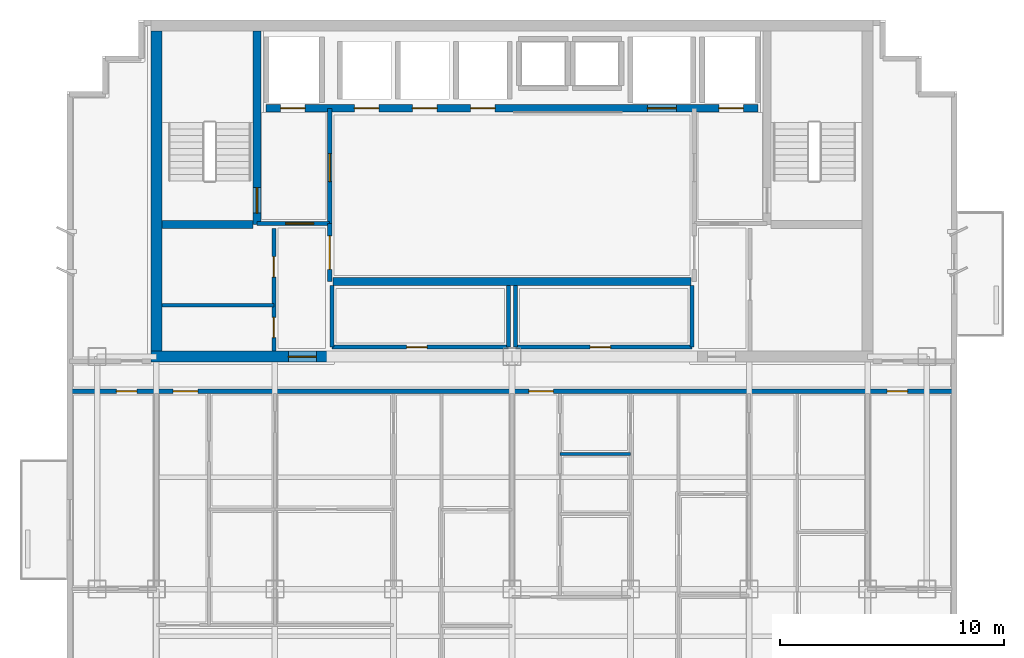
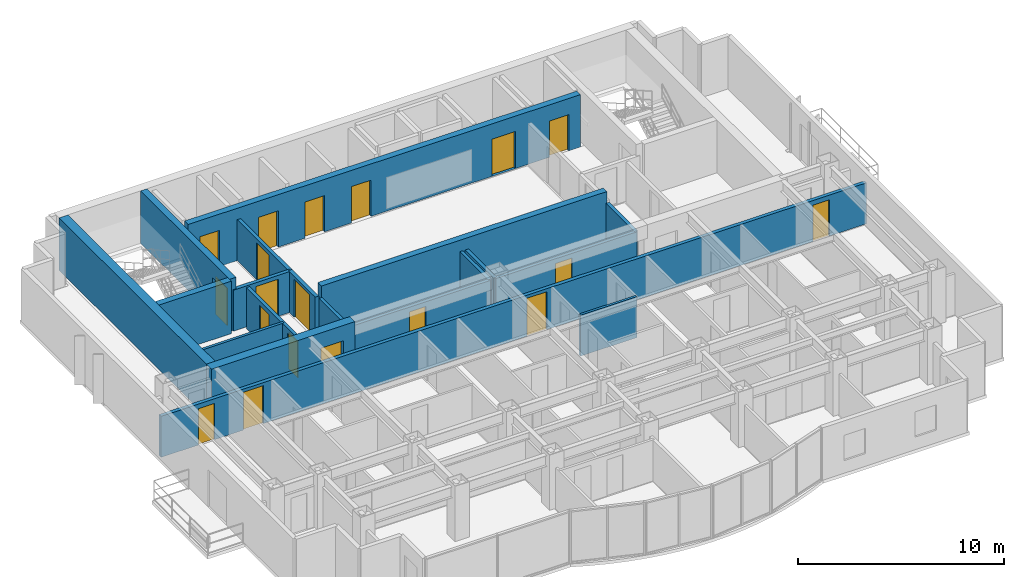
# One storey, part 5 of 9: 19 doors, 19 walls, 19 openings.
"""IFC4 building model written with IfcOpenShell, lengths in metres."""

from ifc_helpers import new_model, si_unit, direction, frame, frame_2d, origin, place, context, subcontext, project, spatial, rectangle, extrude, material, layer, layer_set, type_object, element, fill, save


model = new_model("IFC4")

# Units and contexts
model_context = context("Model", 3, precision=1e-05, world=origin(), true_north=direction((0.0, 1.0)))
body_context = subcontext(model_context, "Body", "Model", "MODEL_VIEW")
ifc_project = project(units=[si_unit("LENGTHUNIT", "METRE"), si_unit("AREAUNIT", "SQUARE_METRE"), si_unit("VOLUMEUNIT", "CUBIC_METRE"), si_unit("PLANEANGLEUNIT", "RADIAN"), si_unit("MASSUNIT", "GRAM", prefix="KILO")], contexts=[model_context])

# Site, building, storey
site_placement = place(None, origin())
site = spatial("IfcSite", under=ifc_project, at=site_placement, CompositionType="ELEMENT")
building_placement = place(site_placement, origin())
building = spatial("IfcBuilding", under=site, at=building_placement, Name="Qianlan Lanfeng Residences", CompositionType="ELEMENT")
storey_placement = place(building_placement, frame((0.0, 0.0, 209.89990234375)))
storey = spatial("IfcBuildingStorey", under=building, at=storey_placement, Name="L57", CompositionType="ELEMENT", Elevation=209.89990234375)

# Wall, opening, door
ifc_material_1 = material(Name="Concrete C49", Category="concrete")
ifc_layer_1 = layer(ifc_material_1, 0.35009765625)
ifc_layer_set_1 = layer_set([ifc_layer_1], Name="Concrete C49")
wall_type_1 = type_object("IfcWallType", Name="CW-RC-350", PredefinedType="SHEAR", material=ifc_layer_set_1)
wall_1_placement = place(storey_placement, frame((15.10009765625, 31.10009765625, 0.0), z_axis=(0.0, 0.0, 1.0), x_axis=(0.0, 1.0, 0.0)))
wall_1 = element("IfcWall", 1, at=wall_1_placement, inside=storey, type_object=wall_type_1, Name="L57 Core Shear Wall ST1E", PredefinedType="SHEAR", context=body_context, shape_type="SweptSolid", body=[
    extrude(rectangle(XDim=8.64990234375, YDim=0.35009765625, at=frame_2d((4.324951171875, 0.0))), origin(), (0.0, 0.0, 1.0), 3.110107421875),
])
opening_1_placement = place(wall_1_placement, frame((0.510009765625, 0.0, 0.0)))
opening_1 = element("IfcOpeningElement", 2, at=opening_1_placement, cuts=wall_1, Name="Opening L57-D07", PredefinedType="OPENING", context=body_context, shape_type="SweptSolid", body=[
    extrude(rectangle(XDim=1.14990234375, YDim=2.199951171875, at=frame_2d((0.574951171875, 1.10009765625))), frame((0.0, 0.18505859375, 0.0), z_axis=(0.0, -1.0, 0.0), x_axis=(1.0, 0.0, 0.0)), (0.0, 0.0, 1.0), 0.3701171875),
])
ifc_material_2 = material(Name="Painted Galvanised Steel Fire Door", Category="steel")
door_type_1 = type_object("IfcDoorType", Name="DT-ST1", OperationType="NOTDEFINED", PredefinedType="DOOR", material=ifc_material_2)
door_1_placement = place(opening_1_placement, frame((1.14990234375, 0.0, 0.0), z_axis=(0.0, 0.0, 1.0), x_axis=(-1.0, 0.0, 0.0)))
door_1 = element("IfcDoor", 3, at=door_1_placement, inside=storey, type_object=door_type_1, Name="L57 Exit Stair ST-1 Door L57-D07 (DT-ST1)", OperationType="SINGLE_SWING_RIGHT", OverallHeight=2.199951171875, OverallWidth=1.14990234375, PredefinedType="DOOR", context=body_context, shape_type="SweptSolid", body=[
    extrude(rectangle(XDim=1.14990234375, YDim=2.199951171875, at=frame_2d((0.574951171875, 1.10009765625))), frame((0.0, 0.02490234375, 0.0), z_axis=(0.0, -1.0, 0.0), x_axis=(1.0, 0.0, 0.0)), (0.0, 0.0, 1.0), 0.050048828125),
])
fill(opening_1, door_1)

# Wall
wall_2_placement = place(storey_placement, frame((10.85009765625, 31.10009765625, 0.0), z_axis=(0.0, 0.0, 1.0), x_axis=(1.0, 0.0, 0.0)))
element("IfcWall", 4, at=wall_2_placement, inside=storey, type_object=wall_type_1, Name="L57 Core Shear Wall ST1S", PredefinedType="SHEAR", context=body_context, shape_type="SweptSolid", body=[
    extrude(rectangle(XDim=4.074951171875, YDim=0.35009765625, at=frame_2d((2.03759765625, 0.0))), origin(), (0.0, 0.0, 1.0), 3.110107421875),
])

# Wall, openings, doors
wall_3_placement = place(storey_placement, frame((15.5, 36.300048828125, 0.0), z_axis=(0.0, 0.0, 1.0), x_axis=(1.0, 0.0, 0.0)))
wall_3 = element("IfcWall", 5, at=wall_3_placement, inside=storey, type_object=wall_type_1, Name="L57 Core Shear Wall LBN", PredefinedType="SHEAR", context=body_context, shape_type="SweptSolid", body=[
    extrude(rectangle(XDim=22.0, YDim=0.35009765625, at=frame_2d((11.0, 0.0))), origin(), (0.0, 0.0, 1.0), 3.110107421875),
])
opening_2_placement = place(wall_3_placement, frame((0.64990234375, 0.0, 0.0)))
opening_2 = element("IfcOpeningElement", 6, at=opening_2_placement, cuts=wall_3, Name="Opening L57-LD-FFL-1", PredefinedType="OPENING", context=body_context, shape_type="SweptSolid", body=[
    extrude(rectangle(XDim=1.10009765625, YDim=2.14990234375, at=frame_2d((0.550048828125, 1.074951171875))), frame((0.0, 0.18505859375, 0.0), z_axis=(0.0, -1.0, 0.0), x_axis=(1.0, 0.0, 0.0)), (0.0, 0.0, 1.0), 0.3701171875),
])
opening_3_placement = place(wall_3_placement, frame((20.25, 0.0, 0.0)))
opening_3 = element("IfcOpeningElement", 7, at=opening_3_placement, cuts=wall_3, Name="Opening L57-LD-FFL-2", PredefinedType="OPENING", context=body_context, shape_type="SweptSolid", body=[
    extrude(rectangle(XDim=1.10009765625, YDim=2.14990234375, at=frame_2d((0.550048828125, 1.074951171875))), frame((0.0, 0.18505859375, 0.0), z_axis=(0.0, -1.0, 0.0), x_axis=(1.0, 0.0, 0.0)), (0.0, 0.0, 1.0), 0.3701171875),
])
opening_4_placement = place(wall_3_placement, frame((17.050048828125, 0.0, 0.0)))
opening_4 = element("IfcOpeningElement", 8, at=opening_4_placement, cuts=wall_3, Name="Opening L57-LD-SVL-1", PredefinedType="OPENING", context=body_context, shape_type="SweptSolid", body=[
    extrude(rectangle(XDim=1.300048828125, YDim=2.199951171875, at=frame_2d((0.64990234375, 1.10009765625))), frame((0.0, 0.18505859375, 0.0), z_axis=(0.0, -1.0, 0.0), x_axis=(1.0, 0.0, 0.0)), (0.0, 0.0, 1.0), 0.3701171875),
])
opening_5_placement = place(wall_3_placement, frame((3.949951171875, 0.0, 0.0)))
opening_5 = element("IfcOpeningElement", 9, at=opening_5_placement, cuts=wall_3, Name="Opening L57-LD-PL-H1", PredefinedType="OPENING", context=body_context, shape_type="SweptSolid", body=[
    extrude(rectangle(XDim=1.10009765625, YDim=2.14990234375, at=frame_2d((0.550048828125, 1.074951171875))), frame((0.0, 0.18505859375, 0.0), z_axis=(0.0, -1.0, 0.0), x_axis=(1.0, 0.0, 0.0)), (0.0, 0.0, 1.0), 0.3701171875),
])
opening_6_placement = place(wall_3_placement, frame((6.550048828125, 0.0, 0.0)))
opening_6 = element("IfcOpeningElement", 10, at=opening_6_placement, cuts=wall_3, Name="Opening L57-LD-PL-H2", PredefinedType="OPENING", context=body_context, shape_type="SweptSolid", body=[
    extrude(rectangle(XDim=1.10009765625, YDim=2.14990234375, at=frame_2d((0.550048828125, 1.074951171875))), frame((0.0, 0.18505859375, 0.0), z_axis=(0.0, -1.0, 0.0), x_axis=(1.0, 0.0, 0.0)), (0.0, 0.0, 1.0), 0.3701171875),
])
opening_7_placement = place(wall_3_placement, frame((9.14990234375, 0.0, 0.0)))
opening_7 = element("IfcOpeningElement", 11, at=opening_7_placement, cuts=wall_3, Name="Opening L57-LD-PL-H3", PredefinedType="OPENING", context=body_context, shape_type="SweptSolid", body=[
    extrude(rectangle(XDim=1.10009765625, YDim=2.14990234375, at=frame_2d((0.550048828125, 1.074951171875))), frame((0.0, 0.18505859375, 0.0), z_axis=(0.0, -1.0, 0.0), x_axis=(1.0, 0.0, 0.0)), (0.0, 0.0, 1.0), 0.3701171875),
])
ifc_material_3 = material(Name="Brushed Stainless Steel Sliding Lift Door", Category="steel")
door_type_2 = type_object("IfcDoorType", Name="LD-01", OperationType="NOTDEFINED", PredefinedType="DOOR", material=ifc_material_3)
door_2_placement = place(opening_2_placement, frame((1.10009765625, 0.0, 0.0), z_axis=(0.0, 0.0, 1.0), x_axis=(-1.0, 0.0, 0.0)))
door_2 = element("IfcDoor", 12, at=door_2_placement, inside=storey, type_object=door_type_2, Name="L57 Elevator FFL-1 Sliding Landing Door", OperationType="DOUBLE_DOOR_SLIDING", OverallHeight=2.14990234375, OverallWidth=1.10009765625, PredefinedType="DOOR", context=body_context, shape_type="SweptSolid", body=[
    extrude(rectangle(XDim=1.10009765625, YDim=2.14990234375, at=frame_2d((0.550048828125, 1.074951171875))), frame((0.0, 0.02490234375, 0.0), z_axis=(0.0, -1.0, 0.0), x_axis=(1.0, 0.0, 0.0)), (0.0, 0.0, 1.0), 0.050048828125),
])
fill(opening_2, door_2)
door_3_placement = place(opening_3_placement, frame((1.10009765625, 0.0, 0.0), z_axis=(0.0, 0.0, 1.0), x_axis=(-1.0, 0.0, 0.0)))
door_3 = element("IfcDoor", 13, at=door_3_placement, inside=storey, type_object=door_type_2, Name="L57 Elevator FFL-2 Sliding Landing Door", OperationType="DOUBLE_DOOR_SLIDING", OverallHeight=2.14990234375, OverallWidth=1.10009765625, PredefinedType="DOOR", context=body_context, shape_type="SweptSolid", body=[
    extrude(rectangle(XDim=1.10009765625, YDim=2.14990234375, at=frame_2d((0.550048828125, 1.074951171875))), frame((0.0, 0.02490234375, 0.0), z_axis=(0.0, -1.0, 0.0), x_axis=(1.0, 0.0, 0.0)), (0.0, 0.0, 1.0), 0.050048828125),
])
fill(opening_3, door_3)
door_4_placement = place(opening_5_placement, frame((1.10009765625, 0.0, 0.0), z_axis=(0.0, 0.0, 1.0), x_axis=(-1.0, 0.0, 0.0)))
door_4 = element("IfcDoor", 14, at=door_4_placement, inside=storey, type_object=door_type_2, Name="L57 Elevator PL-H1 Sliding Landing Door", OperationType="DOUBLE_DOOR_SLIDING", OverallHeight=2.14990234375, OverallWidth=1.10009765625, PredefinedType="DOOR", context=body_context, shape_type="SweptSolid", body=[
    extrude(rectangle(XDim=1.10009765625, YDim=2.14990234375, at=frame_2d((0.550048828125, 1.074951171875))), frame((0.0, 0.02490234375, 0.0), z_axis=(0.0, -1.0, 0.0), x_axis=(1.0, 0.0, 0.0)), (0.0, 0.0, 1.0), 0.050048828125),
])
fill(opening_5, door_4)
door_5_placement = place(opening_6_placement, frame((1.10009765625, 0.0, 0.0), z_axis=(0.0, 0.0, 1.0), x_axis=(-1.0, 0.0, 0.0)))
door_5 = element("IfcDoor", 15, at=door_5_placement, inside=storey, type_object=door_type_2, Name="L57 Elevator PL-H2 Sliding Landing Door", OperationType="DOUBLE_DOOR_SLIDING", OverallHeight=2.14990234375, OverallWidth=1.10009765625, PredefinedType="DOOR", context=body_context, shape_type="SweptSolid", body=[
    extrude(rectangle(XDim=1.10009765625, YDim=2.14990234375, at=frame_2d((0.550048828125, 1.074951171875))), frame((0.0, 0.02490234375, 0.0), z_axis=(0.0, -1.0, 0.0), x_axis=(1.0, 0.0, 0.0)), (0.0, 0.0, 1.0), 0.050048828125),
])
fill(opening_6, door_5)
door_6_placement = place(opening_7_placement, frame((1.10009765625, 0.0, 0.0), z_axis=(0.0, 0.0, 1.0), x_axis=(-1.0, 0.0, 0.0)))
door_6 = element("IfcDoor", 16, at=door_6_placement, inside=storey, type_object=door_type_2, Name="L57 Elevator PL-H3 Sliding Landing Door", OperationType="DOUBLE_DOOR_SLIDING", OverallHeight=2.14990234375, OverallWidth=1.10009765625, PredefinedType="DOOR", context=body_context, shape_type="SweptSolid", body=[
    extrude(rectangle(XDim=1.10009765625, YDim=2.14990234375, at=frame_2d((0.550048828125, 1.074951171875))), frame((0.0, 0.02490234375, 0.0), z_axis=(0.0, -1.0, 0.0), x_axis=(1.0, 0.0, 0.0)), (0.0, 0.0, 1.0), 0.050048828125),
])
fill(opening_7, door_6)
door_type_3 = type_object("IfcDoorType", Name="LD-02", OperationType="NOTDEFINED", PredefinedType="DOOR", material=ifc_material_3)
door_7_placement = place(opening_4_placement, frame((1.300048828125, 0.0, 0.0), z_axis=(0.0, 0.0, 1.0), x_axis=(-1.0, 0.0, 0.0)))
door_7 = element("IfcDoor", 17, at=door_7_placement, inside=storey, type_object=door_type_3, Name="L57 Elevator SVL-1 Sliding Landing Door", OperationType="DOUBLE_DOOR_SLIDING", OverallHeight=2.199951171875, OverallWidth=1.300048828125, PredefinedType="DOOR", context=body_context, shape_type="SweptSolid", body=[
    extrude(rectangle(XDim=1.300048828125, YDim=2.199951171875, at=frame_2d((0.64990234375, 1.10009765625))), frame((0.0, 0.02490234375, 0.0), z_axis=(0.0, -1.0, 0.0), x_axis=(1.0, 0.0, 0.0)), (0.0, 0.0, 1.0), 0.050048828125),
])
fill(opening_4, door_7)

# Walls
wall_4_placement = place(storey_placement, frame((18.5, 28.550048828125, 0.0), z_axis=(0.0, 0.0, 1.0), x_axis=(1.0, 0.0, 0.0)))
element("IfcWall", 18, at=wall_4_placement, inside=storey, type_object=wall_type_1, Name="L57 Core Shear Wall LBS", PredefinedType="SHEAR", context=body_context, shape_type="SweptSolid", body=[
    extrude(rectangle(XDim=16.0, YDim=0.35009765625, at=frame_2d((8.0, 0.0))), origin(), (0.0, 0.0, 1.0), 3.110107421875),
])
ifc_material_4 = material(Name="Concrete C70", Category="concrete")
ifc_layer_2 = layer(ifc_material_4, 0.5)
ifc_layer_set_2 = layer_set([ifc_layer_2], Name="Concrete C70")
wall_type_2 = type_object("IfcWallType", Name="CW-RC-500", PredefinedType="SHEAR", material=ifc_layer_set_2)
wall_5_placement = place(storey_placement, frame((10.60009765625, 25.449951171875, 0.0), z_axis=(0.0, 0.0, 1.0), x_axis=(0.0, 1.0, 0.0)))
element("IfcWall", 19, at=wall_5_placement, inside=storey, type_object=wall_type_2, Name="L57 Core Shear Wall W", PredefinedType="SHEAR", context=body_context, shape_type="SweptSolid", body=[
    extrude(rectangle(XDim=14.300048828125, YDim=0.5, at=frame_2d((7.14990234375, 0.0))), origin(), (0.0, 0.0, 1.0), 3.110107421875),
])

# Wall, opening, door
wall_6_placement = place(storey_placement, frame((10.35009765625, 25.199951171875, 0.0), z_axis=(0.0, 0.0, 1.0), x_axis=(1.0, 0.0, 0.0)))
wall_6 = element("IfcWall", 20, at=wall_6_placement, inside=storey, type_object=wall_type_2, Name="L57 Core Shear Wall SW", PredefinedType="SHEAR", context=body_context, shape_type="SweptSolid", body=[
    extrude(rectangle(XDim=8.0498046875, YDim=0.5, at=frame_2d((4.02490234375, 0.0))), origin(), (0.0, 0.0, 1.0), 3.110107421875),
])
opening_8_placement = place(wall_6_placement, frame((6.14990234375, 0.0, 0.0)))
opening_8 = element("IfcOpeningElement", 21, at=opening_8_placement, cuts=wall_6, Name="Opening L57-D01", PredefinedType="OPENING", context=body_context, shape_type="SweptSolid", body=[
    extrude(rectangle(XDim=1.25, YDim=2.199951171875, at=frame_2d((0.625, 1.10009765625))), frame((0.0, 0.260009765625, 0.0), z_axis=(0.0, -1.0, 0.0), x_axis=(1.0, 0.0, 0.0)), (0.0, 0.0, 1.0), 0.52001953125),
])
door_type_4 = type_object("IfcDoorType", Name="DT-FFL", OperationType="NOTDEFINED", PredefinedType="DOOR", material=ifc_material_2)
door_8_placement = place(opening_8_placement, frame((1.25, 0.0, 0.0), z_axis=(0.0, 0.0, 1.0), x_axis=(-1.0, 0.0, 0.0)))
door_8 = element("IfcDoor", 22, at=door_8_placement, inside=storey, type_object=door_type_4, Name="L57 West Core Lobby Smoke Door L57-D01 (DT-FFL)", OperationType="SINGLE_SWING_RIGHT", OverallHeight=2.199951171875, OverallWidth=1.25, PredefinedType="DOOR", context=body_context, shape_type="SweptSolid", body=[
    extrude(rectangle(XDim=1.25, YDim=2.199951171875, at=frame_2d((0.625, 1.10009765625))), frame((0.0, 0.02490234375, 0.0), z_axis=(0.0, -1.0, 0.0), x_axis=(1.0, 0.0, 0.0)), (0.0, 0.0, 1.0), 0.050048828125),
])
fill(opening_8, door_8)

# Walls
ifc_material_5 = material(Name="Moisture-Resistant Gypsum Partition 135 mm")
ifc_layer_3 = layer(ifc_material_5, 0.135009765625)
ifc_layer_set_3 = layer_set([ifc_layer_3], Name="Moisture-Resistant Gypsum Partition 135 mm")
wall_type_3 = type_object("IfcWallType", Name="PW-135", PredefinedType="PARTITIONING", material=ifc_layer_set_3)
wall_7_placement = place(storey_placement, frame((28.64990234375, 20.85009765625, 0.0), z_axis=(0.0, 0.0, 1.0), x_axis=(1.0, 0.0, 0.0)))
element("IfcWall", 23, at=wall_7_placement, inside=storey, type_object=wall_type_3, Name="L57 U02 Bathroom South Wall", PredefinedType="PARTITIONING", context=body_context, shape_type="SweptSolid", body=[
    extrude(rectangle(XDim=3.150146484375, YDim=0.135009765625, at=frame_2d((1.5751953125, 0.0))), origin(), (0.0, 0.0, 1.0), 2.43017578125),
])
ifc_material_6 = material(Name="Acoustic Drywall Partition 150 mm")
ifc_layer_4 = layer(ifc_material_6, 0.14990234375)
ifc_layer_set_4 = layer_set([ifc_layer_4], Name="Acoustic Drywall Partition 150 mm")
wall_type_4 = type_object("IfcWallType", Name="PW-150", PredefinedType="PARTITIONING", material=ifc_layer_set_4)
wall_8_placement = place(storey_placement, frame((10.85009765625, 27.5, 0.0), z_axis=(0.0, 0.0, 1.0), x_axis=(1.0, 0.0, 0.0)))
element("IfcWall", 24, at=wall_8_placement, inside=storey, type_object=wall_type_4, Name="L57 Core West Split", PredefinedType="PARTITIONING", context=body_context, shape_type="SweptSolid", body=[
    extrude(rectangle(XDim=5.0, YDim=0.14990234375, at=frame_2d((2.5, 0.0))), origin(), (0.0, 0.0, 1.0), 2.43017578125),
])

# Wall, openings, doors
ifc_material_7 = material(Name="Double-Layer Acoustic Gypsum Stud Wall 180 mm")
ifc_layer_5 = layer(ifc_material_7, 0.179931640625)
ifc_layer_set_5 = layer_set([ifc_layer_5], Name="Double-Layer Acoustic Gypsum Stud Wall 180 mm")
wall_type_5 = type_object("IfcWallType", Name="PW-180", PredefinedType="PARTITIONING", material=ifc_layer_set_5)
wall_9_placement = place(storey_placement, frame((15.85009765625, 25.449951171875, 0.0), z_axis=(0.0, 0.0, 1.0), x_axis=(0.0, 1.0, 0.0)))
wall_9 = element("IfcWall", 25, at=wall_9_placement, inside=storey, type_object=wall_type_5, Name="L57 Core West Service Room Wall", PredefinedType="PARTITIONING", context=body_context, shape_type="SweptSolid", body=[
    extrude(rectangle(XDim=5.47509765625, YDim=0.179931640625, at=frame_2d((2.737548828125, 0.0))), origin(), (0.0, 0.0, 1.0), 2.43017578125),
])
opening_9_placement = place(wall_9_placement, frame((0.60009765625, 0.0, 0.0)))
opening_9 = element("IfcOpeningElement", 26, at=opening_9_placement, cuts=wall_9, Name="Opening L57-D09", PredefinedType="OPENING", context=body_context, shape_type="SweptSolid", body=[
    extrude(rectangle(XDim=0.89990234375, YDim=2.14990234375, at=frame_2d((0.449951171875, 1.074951171875))), frame((0.0, 0.10009765625, 0.0), z_axis=(0.0, -1.0, 0.0), x_axis=(1.0, 0.0, 0.0)), (0.0, 0.0, 1.0), 0.199951171875),
])
opening_10_placement = place(wall_9_placement, frame((3.302001953125, 0.0, 0.0)))
opening_10 = element("IfcOpeningElement", 27, at=opening_10_placement, cuts=wall_9, Name="Opening L57-D10", PredefinedType="OPENING", context=body_context, shape_type="SweptSolid", body=[
    extrude(rectangle(XDim=0.919921875, YDim=2.14990234375, at=frame_2d((0.4599609375, 1.074951171875))), frame((0.0, 0.10009765625, 0.0), z_axis=(0.0, -1.0, 0.0), x_axis=(1.0, 0.0, 0.0)), (0.0, 0.0, 1.0), 0.199951171875),
])
ifc_material_8 = material(Name="Glazed Timber Kitchen/Study Door", Category="wood")
door_type_5 = type_object("IfcDoorType", Name="DT-INT", OperationType="NOTDEFINED", PredefinedType="DOOR", material=ifc_material_8)
door_9_placement = place(opening_10_placement, origin())
door_9 = element("IfcDoor", 28, at=door_9_placement, inside=storey, type_object=door_type_5, Name="L57 Janitor Closet Door L57-D10 (DT-INT)", OperationType="SINGLE_SWING_RIGHT", OverallHeight=2.14990234375, OverallWidth=0.919921875, PredefinedType="DOOR", context=body_context, shape_type="SweptSolid", body=[
    extrude(rectangle(XDim=0.919921875, YDim=2.14990234375, at=frame_2d((0.4599609375, 1.074951171875))), frame((0.0, 0.02490234375, 0.0), z_axis=(0.0, -1.0, 0.0), x_axis=(1.0, 0.0, 0.0)), (0.0, 0.0, 1.0), 0.050048828125),
])
fill(opening_10, door_9)
ifc_material_9 = material(Name="Moisture-Resistant Timber Leaf", Category="wood")
door_type_6 = type_object("IfcDoorType", Name="DT-WC", OperationType="NOTDEFINED", PredefinedType="DOOR", material=ifc_material_9)
door_10_placement = place(opening_9_placement, frame((0.89990234375, 0.0, 0.0), z_axis=(0.0, 0.0, 1.0), x_axis=(-1.0, 0.0, 0.0)))
door_10 = element("IfcDoor", 29, at=door_10_placement, inside=storey, type_object=door_type_6, Name="L57 Core Staff WC Door L57-D09 (DT-WC)", OperationType="SINGLE_SWING_RIGHT", OverallHeight=2.14990234375, OverallWidth=0.89990234375, PredefinedType="DOOR", context=body_context, shape_type="SweptSolid", body=[
    extrude(rectangle(XDim=0.89990234375, YDim=2.14990234375, at=frame_2d((0.449951171875, 1.074951171875))), frame((0.0, 0.02490234375, 0.0), z_axis=(0.0, -1.0, 0.0), x_axis=(1.0, 0.0, 0.0)), (0.0, 0.0, 1.0), 0.050048828125),
])
fill(opening_9, door_10)

# Walls
for number, where, z_axis, x_axis, name in (
    (30, (18.449951171875, 25.6201171875, 0.0), (0.0, 0.0, 1.0), (0.0, 1.0, 0.0), "L57 Reclaimed Low-Bank Room West Wall"),
    (31, (26.35009765625, 25.6201171875, 0.0), (0.0, 0.0, 1.0), (0.0, 1.0, 0.0), "L57 Reclaimed Low-Bank Room East Wall"),
):
    element("IfcWall", number, at=place(storey_placement, frame(where, z_axis=z_axis, x_axis=x_axis)), inside=storey, type_object=wall_type_5, Name=name, PredefinedType="PARTITIONING", context=body_context, shape_type="SweptSolid", body=[
        extrude(rectangle(XDim=2.7548828125, YDim=0.179931640625, at=frame_2d((1.37744140625, 0.0))), origin(), (0.0, 0.0, 1.0), 2.43017578125),
    ])

# Wall, opening, door
wall_10_placement = place(storey_placement, frame((18.449951171875, 25.6201171875, 0.0), z_axis=(0.0, 0.0, 1.0), x_axis=(1.0, 0.0, 0.0)))
wall_10 = element("IfcWall", 32, at=wall_10_placement, inside=storey, type_object=wall_type_5, Name="L57 Reclaimed Low-Bank Room South Wall", PredefinedType="PARTITIONING", context=body_context, shape_type="SweptSolid", body=[
    extrude(rectangle(XDim=7.900146484375, YDim=0.179931640625, at=frame_2d((3.9501953125, 0.0))), origin(), (0.0, 0.0, 1.0), 2.43017578125),
])
opening_11_placement = place(wall_10_placement, frame((3.340087890625, 0.0, 0.0)))
opening_11 = element("IfcOpeningElement", 33, at=opening_11_placement, cuts=wall_10, Name="Opening L57-D14", PredefinedType="OPENING", context=body_context, shape_type="SweptSolid", body=[
    extrude(rectangle(XDim=0.919921875, YDim=2.14990234375, at=frame_2d((0.4599609375, 1.074951171875))), frame((0.0, 0.10009765625, 0.0), z_axis=(0.0, -1.0, 0.0), x_axis=(1.0, 0.0, 0.0)), (0.0, 0.0, 1.0), 0.199951171875),
])
door_11_placement = place(opening_11_placement, origin())
door_11 = element("IfcDoor", 34, at=door_11_placement, inside=storey, type_object=door_type_5, Name="L57 Reclaimed Core Salon Door L57-D14 (DT-INT)", OperationType="SINGLE_SWING_RIGHT", OverallHeight=2.14990234375, OverallWidth=0.919921875, PredefinedType="DOOR", context=body_context, shape_type="SweptSolid", body=[
    extrude(rectangle(XDim=0.919921875, YDim=2.14990234375, at=frame_2d((0.4599609375, 1.074951171875))), frame((0.0, 0.02490234375, 0.0), z_axis=(0.0, -1.0, 0.0), x_axis=(1.0, 0.0, 0.0)), (0.0, 0.0, 1.0), 0.050048828125),
])
fill(opening_11, door_11)

# Walls
for number, where, z_axis, x_axis, name in (
    (35, (26.64990234375, 25.6201171875, 0.0), (0.0, 0.0, 1.0), (0.0, 1.0, 0.0), "L57 Reclaimed Mid-Bank Room West Wall"),
    (36, (34.550048828125, 25.6201171875, 0.0), (0.0, 0.0, 1.0), (0.0, 1.0, 0.0), "L57 Reclaimed Mid-Bank Room East Wall"),
):
    element("IfcWall", number, at=place(storey_placement, frame(where, z_axis=z_axis, x_axis=x_axis)), inside=storey, type_object=wall_type_5, Name=name, PredefinedType="PARTITIONING", context=body_context, shape_type="SweptSolid", body=[
        extrude(rectangle(XDim=2.7548828125, YDim=0.179931640625, at=frame_2d((1.37744140625, 0.0))), origin(), (0.0, 0.0, 1.0), 2.43017578125),
    ])

# Wall, opening, door
wall_11_placement = place(storey_placement, frame((26.64990234375, 25.6201171875, 0.0), z_axis=(0.0, 0.0, 1.0), x_axis=(1.0, 0.0, 0.0)))
wall_11 = element("IfcWall", 37, at=wall_11_placement, inside=storey, type_object=wall_type_5, Name="L57 Reclaimed Mid-Bank Room South Wall", PredefinedType="PARTITIONING", context=body_context, shape_type="SweptSolid", body=[
    extrude(rectangle(XDim=7.900146484375, YDim=0.179931640625, at=frame_2d((3.9501953125, 0.0))), origin(), (0.0, 0.0, 1.0), 2.43017578125),
])
opening_12_placement = place(wall_11_placement, frame((3.340087890625, 0.0, 0.0)))
opening_12 = element("IfcOpeningElement", 38, at=opening_12_placement, cuts=wall_11, Name="Opening L57-D15", PredefinedType="OPENING", context=body_context, shape_type="SweptSolid", body=[
    extrude(rectangle(XDim=0.919921875, YDim=2.14990234375, at=frame_2d((0.4599609375, 1.074951171875))), frame((0.0, 0.10009765625, 0.0), z_axis=(0.0, -1.0, 0.0), x_axis=(1.0, 0.0, 0.0)), (0.0, 0.0, 1.0), 0.199951171875),
])
door_12_placement = place(opening_12_placement, origin())
door_12 = element("IfcDoor", 39, at=door_12_placement, inside=storey, type_object=door_type_5, Name="L57 Reclaimed Mid-Bank Salon Door L57-D15 (DT-INT)", OperationType="SINGLE_SWING_LEFT", OverallHeight=2.14990234375, OverallWidth=0.919921875, PredefinedType="DOOR", context=body_context, shape_type="SweptSolid", body=[
    extrude(rectangle(XDim=0.919921875, YDim=2.14990234375, at=frame_2d((0.4599609375, 1.074951171875))), frame((0.0, 0.02490234375, 0.0), z_axis=(0.0, -1.0, 0.0), x_axis=(1.0, 0.0, 0.0)), (0.0, 0.0, 1.0), 0.050048828125),
])
fill(opening_12, door_12)

ifc_material_10 = material(Name="Autoclaved Aerated Concrete Blockwork 200 mm", Category="masonry")
ifc_layer_6 = layer(ifc_material_10, 0.199951171875)
ifc_layer_set_6 = layer_set([ifc_layer_6], Name="Autoclaved Aerated Concrete Blockwork 200 mm")
wall_type_6 = type_object("IfcWallType", Name="PW-200", PredefinedType="PARTITIONING", material=ifc_layer_set_6)
wall_12_placement = place(storey_placement, frame((15.10009765625, 31.14990234375, 0.0), z_axis=(0.0, 0.0, 1.0), x_axis=(1.0, 0.0, 0.0)))
wall_12 = element("IfcWall", 40, at=wall_12_placement, inside=storey, type_object=wall_type_6, Name="L57 Firefighting Lobby 1 South Wall", PredefinedType="PARTITIONING", context=body_context, shape_type="SweptSolid", body=[
    extrude(rectangle(XDim=3.25, YDim=0.199951171875, at=frame_2d((1.625, 0.0))), origin(), (0.0, 0.0, 1.0), 2.43017578125),
])
opening_13_placement = place(wall_12_placement, frame((1.27490234375, 0.0, 0.0)))
opening_13 = element("IfcOpeningElement", 41, at=opening_13_placement, cuts=wall_12, Name="Opening L57-D03", PredefinedType="OPENING", context=body_context, shape_type="SweptSolid", body=[
    extrude(rectangle(XDim=1.25, YDim=2.199951171875, at=frame_2d((0.625, 1.10009765625))), frame((0.0, 0.10986328125, 0.0), z_axis=(0.0, -1.0, 0.0), x_axis=(1.0, 0.0, 0.0)), (0.0, 0.0, 1.0), 0.219970703125),
])
door_13_placement = place(opening_13_placement, origin())
door_13 = element("IfcDoor", 42, at=door_13_placement, inside=storey, type_object=door_type_4, Name="L57 Firefighting Lobby 1 Entry Door L57-D03 (DT-FFL)", OperationType="SINGLE_SWING_LEFT", OverallHeight=2.199951171875, OverallWidth=1.25, PredefinedType="DOOR", context=body_context, shape_type="SweptSolid", body=[
    extrude(rectangle(XDim=1.25, YDim=2.199951171875, at=frame_2d((0.625, 1.10009765625))), frame((0.0, 0.02490234375, 0.0), z_axis=(0.0, -1.0, 0.0), x_axis=(1.0, 0.0, 0.0)), (0.0, 0.0, 1.0), 0.050048828125),
])
fill(opening_13, door_13)

wall_13_placement = place(storey_placement, frame((18.35009765625, 31.14990234375, 0.0), z_axis=(0.0, 0.0, 1.0), x_axis=(0.0, 1.0, 0.0)))
wall_13 = element("IfcWall", 43, at=wall_13_placement, inside=storey, type_object=wall_type_6, Name="L57 Firefighting Lobby 1 East Wall", PredefinedType="PARTITIONING", context=body_context, shape_type="SweptSolid", body=[
    extrude(rectangle(XDim=5.150146484375, YDim=0.199951171875, at=frame_2d((2.5751953125, 0.0))), origin(), (0.0, 0.0, 1.0), 2.43017578125),
])
opening_14_placement = place(wall_13_placement, frame((1.875, 0.0, 0.0)))
opening_14 = element("IfcOpeningElement", 44, at=opening_14_placement, cuts=wall_13, Name="Opening L57-D04", PredefinedType="OPENING", context=body_context, shape_type="SweptSolid", body=[
    extrude(rectangle(XDim=1.25, YDim=2.199951171875, at=frame_2d((0.625, 1.10009765625))), frame((0.0, 0.10986328125, 0.0), z_axis=(0.0, -1.0, 0.0), x_axis=(1.0, 0.0, 0.0)), (0.0, 0.0, 1.0), 0.219970703125),
])
door_14_placement = place(opening_14_placement, origin())
door_14 = element("IfcDoor", 45, at=door_14_placement, inside=storey, type_object=door_type_4, Name="L57 Firefighting Lobby 1 Lift Lobby Door L57-D04 (DT-FFL)", OperationType="SINGLE_SWING_RIGHT", OverallHeight=2.199951171875, OverallWidth=1.25, PredefinedType="DOOR", context=body_context, shape_type="SweptSolid", body=[
    extrude(rectangle(XDim=1.25, YDim=2.199951171875, at=frame_2d((0.625, 1.10009765625))), frame((0.0, 0.02490234375, 0.0), z_axis=(0.0, -1.0, 0.0), x_axis=(1.0, 0.0, 0.0)), (0.0, 0.0, 1.0), 0.050048828125),
])
fill(opening_14, door_14)

wall_14_placement = place(storey_placement, frame((18.35009765625, 28.550048828125, 0.0), z_axis=(0.0, 0.0, 1.0), x_axis=(0.0, 1.0, 0.0)))
wall_14 = element("IfcWall", 46, at=wall_14_placement, inside=storey, type_object=wall_type_6, Name="L57 Lift Lobby West Connector Wall", PredefinedType="PARTITIONING", context=body_context, shape_type="SweptSolid", body=[
    extrude(rectangle(XDim=2.599853515625, YDim=0.199951171875, at=frame_2d((1.2998046875, 0.0))), origin(), (0.0, 0.0, 1.0), 2.43017578125),
])
opening_15_placement = place(wall_14_placement, frame((0.550048828125, 0.0, 0.0)))
opening_15 = element("IfcOpeningElement", 47, at=opening_15_placement, cuts=wall_14, Name="Opening L57-D12", PredefinedType="OPENING", context=body_context, shape_type="SweptSolid", body=[
    extrude(rectangle(XDim=1.5, YDim=2.25, at=frame_2d((0.75, 1.125))), frame((0.0, 0.10986328125, 0.0), z_axis=(0.0, -1.0, 0.0), x_axis=(1.0, 0.0, 0.0)), (0.0, 0.0, 1.0), 0.219970703125),
])
ifc_material_11 = material(Name="Timber Veneer Acoustic Fire Door", Category="wood")
door_type_7 = type_object("IfcDoorType", Name="DT-COR1", OperationType="NOTDEFINED", PredefinedType="DOOR", material=ifc_material_11)
door_15_placement = place(opening_15_placement, origin())
door_15 = element("IfcDoor", 48, at=door_15_placement, inside=storey, type_object=door_type_7, Name="L57 Lift Lobby West Portal Door L57-D12 (DT-COR1)", OperationType="DOUBLE_DOOR_SINGLE_SWING", OverallHeight=2.25, OverallWidth=1.5, PredefinedType="DOOR", context=body_context, shape_type="SweptSolid", body=[
    extrude(rectangle(XDim=1.5, YDim=2.25, at=frame_2d((0.75, 1.125))), frame((0.0, 0.02490234375, 0.0), z_axis=(0.0, -1.0, 0.0), x_axis=(1.0, 0.0, 0.0)), (0.0, 0.0, 1.0), 0.050048828125),
])
fill(opening_15, door_15)

# Wall, openings, doors
wall_15_placement = place(storey_placement, frame((6.719970703125, 23.64990234375, 0.0), z_axis=(0.0, 0.0, 1.0), x_axis=(1.0, 0.0, 0.0)))
wall_15 = element("IfcWall", 49, at=wall_15_placement, inside=storey, type_object=wall_type_6, Name="L57 Residential Corridor South Fire Wall", PredefinedType="PARTITIONING", context=body_context, shape_type="SweptSolid", body=[
    extrude(rectangle(XDim=39.56005859375, YDim=0.199951171875, at=frame_2d((19.780029296875, 0.0))), origin(), (0.0, 0.0, 1.0), 2.43017578125),
])
opening_16_placement = place(wall_15_placement, frame((4.6298828125, 0.0, 0.0)))
opening_16 = element("IfcOpeningElement", 50, at=opening_16_placement, cuts=wall_15, Name="Opening L57-D16", PredefinedType="OPENING", context=body_context, shape_type="SweptSolid", body=[
    extrude(rectangle(XDim=1.10009765625, YDim=2.25, at=frame_2d((0.550048828125, 1.125))), frame((0.0, 0.10986328125, 0.0), z_axis=(0.0, -1.0, 0.0), x_axis=(1.0, 0.0, 0.0)), (0.0, 0.0, 1.0), 0.219970703125),
])
opening_17_placement = place(wall_15_placement, frame((20.530029296875, 0.0, 0.0)))
opening_17 = element("IfcOpeningElement", 51, at=opening_17_placement, cuts=wall_15, Name="Opening L57-D27", PredefinedType="OPENING", context=body_context, shape_type="SweptSolid", body=[
    extrude(rectangle(XDim=1.10009765625, YDim=2.25, at=frame_2d((0.550048828125, 1.125))), frame((0.0, 0.10986328125, 0.0), z_axis=(0.0, -1.0, 0.0), x_axis=(1.0, 0.0, 0.0)), (0.0, 0.0, 1.0), 0.219970703125),
])
opening_18_placement = place(wall_15_placement, frame((2.0849609375, 0.0, 0.0)))
opening_18 = element("IfcOpeningElement", 52, at=opening_18_placement, cuts=wall_15, Name="Opening L57-D42", PredefinedType="OPENING", context=body_context, shape_type="SweptSolid", body=[
    extrude(rectangle(XDim=0.919921875, YDim=2.14990234375, at=frame_2d((0.4599609375, 1.074951171875))), frame((0.0, 0.10986328125, 0.0), z_axis=(0.0, -1.0, 0.0), x_axis=(1.0, 0.0, 0.0)), (0.0, 0.0, 1.0), 0.219970703125),
])
opening_19_placement = place(wall_15_placement, frame((36.554931640625, 0.0, 0.0)))
opening_19 = element("IfcOpeningElement", 53, at=opening_19_placement, cuts=wall_15, Name="Opening L57-D44", PredefinedType="OPENING", context=body_context, shape_type="SweptSolid", body=[
    extrude(rectangle(XDim=0.919921875, YDim=2.14990234375, at=frame_2d((0.4599609375, 1.074951171875))), frame((0.0, 0.10986328125, 0.0), z_axis=(0.0, -1.0, 0.0), x_axis=(1.0, 0.0, 0.0)), (0.0, 0.0, 1.0), 0.219970703125),
])
door_16_placement = place(opening_18_placement, origin())
door_16 = element("IfcDoor", 54, at=door_16_placement, inside=storey, type_object=door_type_5, Name="L57 SWP Corridor Door L57-D42 (DT-INT)", OperationType="SINGLE_SWING_RIGHT", OverallHeight=2.14990234375, OverallWidth=0.919921875, PredefinedType="DOOR", context=body_context, shape_type="SweptSolid", body=[
    extrude(rectangle(XDim=0.919921875, YDim=2.14990234375, at=frame_2d((0.4599609375, 1.074951171875))), frame((0.0, 0.02490234375, 0.0), z_axis=(0.0, -1.0, 0.0), x_axis=(1.0, 0.0, 0.0)), (0.0, 0.0, 1.0), 0.050048828125),
])
fill(opening_18, door_16)
door_17_placement = place(opening_19_placement, origin())
door_17 = element("IfcDoor", 55, at=door_17_placement, inside=storey, type_object=door_type_5, Name="L57 SEP Corridor Door L57-D44 (DT-INT)", OperationType="SINGLE_SWING_RIGHT", OverallHeight=2.14990234375, OverallWidth=0.919921875, PredefinedType="DOOR", context=body_context, shape_type="SweptSolid", body=[
    extrude(rectangle(XDim=0.919921875, YDim=2.14990234375, at=frame_2d((0.4599609375, 1.074951171875))), frame((0.0, 0.02490234375, 0.0), z_axis=(0.0, -1.0, 0.0), x_axis=(1.0, 0.0, 0.0)), (0.0, 0.0, 1.0), 0.050048828125),
])
fill(opening_19, door_17)
ifc_material_12 = material(Name="Solid-Core Oak Veneer Fire Door")
door_type_8 = type_object("IfcDoorType", Name="DT-UNIT", OperationType="NOTDEFINED", PredefinedType="DOOR", material=ifc_material_12)
door_18_placement = place(opening_16_placement, frame((1.10009765625, 0.0, 0.0), z_axis=(0.0, 0.0, 1.0), x_axis=(-1.0, 0.0, 0.0)))
door_18 = element("IfcDoor", 56, at=door_18_placement, inside=storey, type_object=door_type_8, Name="L57 Apartment U01 Entrance Door L57-D16 (DT-UNIT)", OperationType="SINGLE_SWING_RIGHT", OverallHeight=2.25, OverallWidth=1.10009765625, PredefinedType="DOOR", context=body_context, shape_type="SweptSolid", body=[
    extrude(rectangle(XDim=1.10009765625, YDim=2.25, at=frame_2d((0.550048828125, 1.125))), frame((0.0, 0.02490234375, 0.0), z_axis=(0.0, -1.0, 0.0), x_axis=(1.0, 0.0, 0.0)), (0.0, 0.0, 1.0), 0.050048828125),
])
fill(opening_16, door_18)
door_19_placement = place(opening_17_placement, frame((1.10009765625, 0.0, 0.0), z_axis=(0.0, 0.0, 1.0), x_axis=(-1.0, 0.0, 0.0)))
door_19 = element("IfcDoor", 57, at=door_19_placement, inside=storey, type_object=door_type_8, Name="L57 Apartment U02 Entrance Door L57-D27 (DT-UNIT)", OperationType="SINGLE_SWING_RIGHT", OverallHeight=2.25, OverallWidth=1.10009765625, PredefinedType="DOOR", context=body_context, shape_type="SweptSolid", body=[
    extrude(rectangle(XDim=1.10009765625, YDim=2.25, at=frame_2d((0.550048828125, 1.125))), frame((0.0, 0.02490234375, 0.0), z_axis=(0.0, -1.0, 0.0), x_axis=(1.0, 0.0, 0.0)), (0.0, 0.0, 1.0), 0.050048828125),
])
fill(opening_17, door_19)

save(model, "model.ifc")
